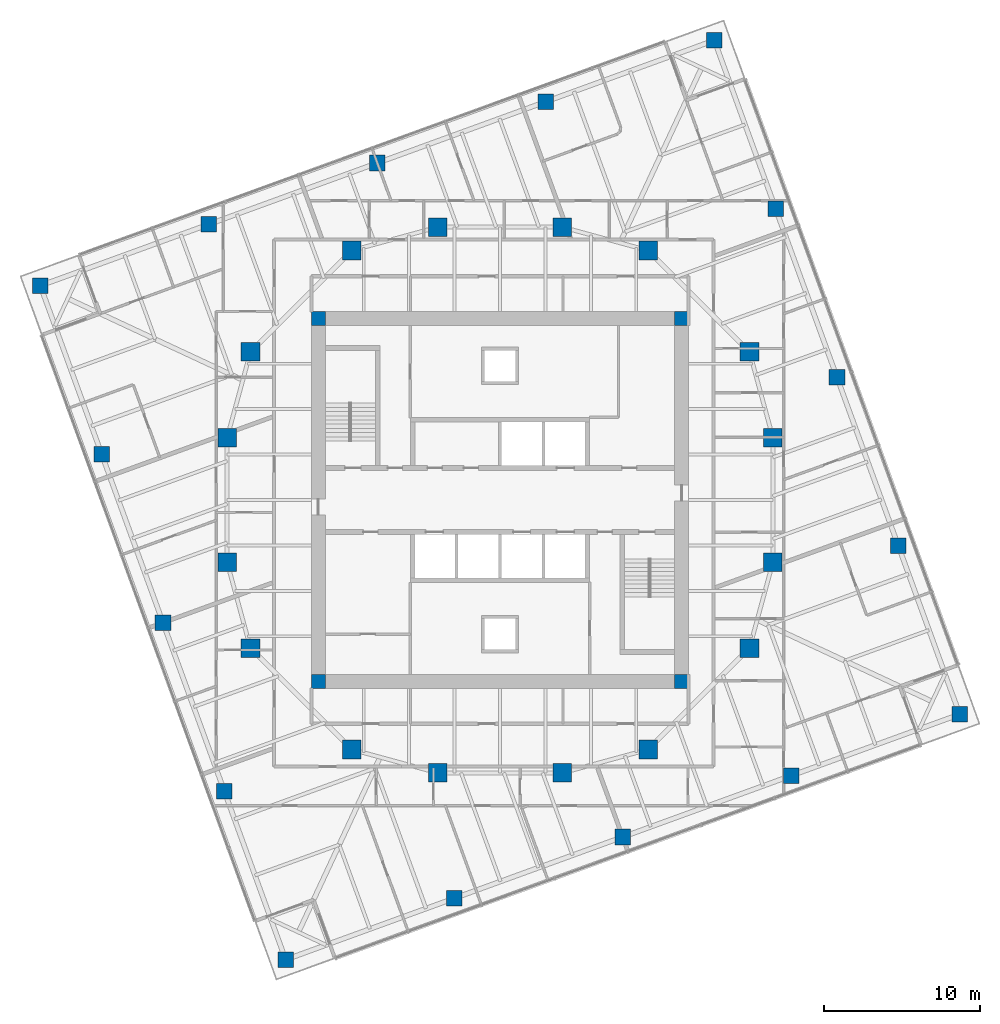
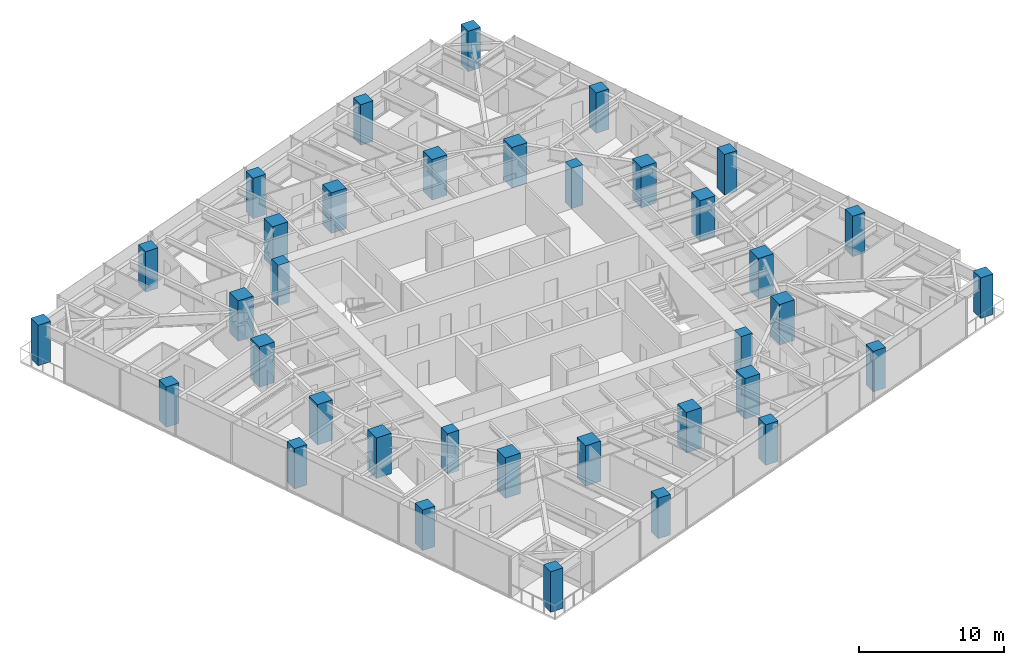
# One storey, part 1 of 13: 36 columns.
"""IFC4 building model written with IfcOpenShell, lengths in metres."""

from ifc_helpers import new_model, si_unit, direction, frame, origin, origin_2d, place, context, subcontext, project, spatial, rectangle, extrude, material, material_profile, profile_set, type_object, element, save


model = new_model("IFC4")

# Units and contexts
model_context = context("Model", 3, precision=1e-05, world=origin(), true_north=direction((0.0, 1.0)))
body_context = subcontext(model_context, "Body", "Model", "MODEL_VIEW")
ifc_project = project(units=[si_unit("LENGTHUNIT", "METRE"), si_unit("AREAUNIT", "SQUARE_METRE"), si_unit("VOLUMEUNIT", "CUBIC_METRE"), si_unit("PLANEANGLEUNIT", "RADIAN"), si_unit("MASSUNIT", "GRAM", prefix="KILO")], contexts=[model_context])

# Site, building, storey
site_placement = place(None, origin())
site = spatial("IfcSite", under=ifc_project, at=site_placement, CompositionType="ELEMENT")
building_placement = place(site_placement, origin())
building = spatial("IfcBuilding", under=site, at=building_placement, Name="Torsade Residences", CompositionType="ELEMENT")
storey_placement = place(building_placement, frame((0.0, 0.0, 164.199951171875)))
storey = spatial("IfcBuildingStorey", under=building, at=storey_placement, Name="L45", CompositionType="ELEMENT", Elevation=164.199951171875)

# Columns
ifc_material_1 = material(Name="Concrete 80 MPa", Category="concrete")
ifc_material_profile_1 = material_profile(ifc_material_1, rectangle(XDim=0.89990234375, YDim=0.89990234375, at=origin_2d()), Name="RC 900x900")
ifc_profile_set_1 = profile_set([ifc_material_profile_1], Name="Concrete 80 MPa")
column_type_1 = type_object("IfcColumnType", Name="CORE CORNER COLUMN RC 900x900", PredefinedType="COLUMN", material=ifc_profile_set_1)
for number, where, z_axis, x_axis, name in (
    (1, (28.35009765625, 18.35009765625, 0.0), (0.0, 0.0, 1.0), (1.0, 0.0, 0.0), "Core corner column CC1 L45"),
    (2, (51.64990234375, 18.35009765625, 0.0), (0.0, 0.0, 1.0), (1.0, 0.0, 0.0), "Core corner column CC2 L45"),
    (3, (51.64990234375, 41.64990234375, 0.0), (0.0, 0.0, 1.0), (1.0, 0.0, 0.0), "Core corner column CC3 L45"),
    (4, (28.35009765625, 41.64990234375, 0.0), (0.0, 0.0, 1.0), (1.0, 0.0, 0.0), "Core corner column CC4 L45"),
):
    element("IfcColumn", number, at=place(storey_placement, frame(where, z_axis=z_axis, x_axis=x_axis)), inside=storey, type_object=column_type_1, Name=name, PredefinedType="COLUMN", context=body_context, shape_type="SweptSolid", body=[
        extrude(rectangle(XDim=0.89990234375, YDim=0.89990234375, at=origin_2d()), origin(), (0.0, 0.0, 1.0), 3.400146484375),
    ])
ifc_material_2 = material(Name="Concrete 80 MPa", Category="concrete")
ifc_material_profile_2 = material_profile(ifc_material_2, rectangle(XDim=1.199951171875, YDim=1.199951171875, at=origin_2d()), Name="RC 1200x1200")
ifc_profile_set_2 = profile_set([ifc_material_profile_2], Name="Concrete 80 MPa")
column_type_2 = type_object("IfcColumnType", Name="INNER RING COLUMN RC 1200x1200", PredefinedType="COLUMN", material=ifc_profile_set_2)
for number, where, z_axis, x_axis, name in (
    (5, (57.5, 26.0, 0.0), (0.0, 0.0, 1.0), (1.0, 0.0, 0.0), "Inner ring column IR01 L45"),
    (6, (57.5, 34.0, 0.0), (0.0, 0.0, 1.0), (1.0, 0.0, 0.0), "Inner ring column IR02 L45"),
    (7, (56.0, 39.5, 0.0), (0.0, 0.0, 1.0), (1.0, 0.0, 0.0), "Inner ring column IR03 L45"),
    (8, (49.5, 46.0, 0.0), (0.0, 0.0, 1.0), (1.0, 0.0, 0.0), "Inner ring column IR04 L45"),
    (9, (44.0, 47.5, 0.0), (0.0, 0.0, 1.0), (1.0, 0.0, 0.0), "Inner ring column IR05 L45"),
    (10, (36.0, 47.5, 0.0), (0.0, 0.0, 1.0), (1.0, 0.0, 0.0), "Inner ring column IR06 L45"),
    (11, (30.5, 46.0, 0.0), (0.0, 0.0, 1.0), (1.0, 0.0, 0.0), "Inner ring column IR07 L45"),
    (12, (24.0, 39.5, 0.0), (0.0, 0.0, 1.0), (1.0, 0.0, 0.0), "Inner ring column IR08 L45"),
    (13, (22.5, 34.0, 0.0), (0.0, 0.0, 1.0), (1.0, 0.0, 0.0), "Inner ring column IR09 L45"),
    (14, (22.5, 26.0, 0.0), (0.0, 0.0, 1.0), (1.0, 0.0, 0.0), "Inner ring column IR10 L45"),
    (15, (24.0, 20.5, 0.0), (0.0, 0.0, 1.0), (1.0, 0.0, 0.0), "Inner ring column IR11 L45"),
    (16, (30.5, 14.0, 0.0), (0.0, 0.0, 1.0), (1.0, 0.0, 0.0), "Inner ring column IR12 L45"),
    (17, (36.0, 12.5, 0.0), (0.0, 0.0, 1.0), (1.0, 0.0, 0.0), "Inner ring column IR13 L45"),
    (18, (44.0, 12.5, 0.0), (0.0, 0.0, 1.0), (1.0, 0.0, 0.0), "Inner ring column IR14 L45"),
    (19, (49.5, 14.0, 0.0), (0.0, 0.0, 1.0), (1.0, 0.0, 0.0), "Inner ring column IR15 L45"),
    (20, (56.0, 20.5, 0.0), (0.0, 0.0, 1.0), (1.0, 0.0, 0.0), "Inner ring column IR16 L45"),
):
    element("IfcColumn", number, at=place(storey_placement, frame(where, z_axis=z_axis, x_axis=x_axis)), inside=storey, type_object=column_type_2, Name=name, PredefinedType="COLUMN", context=body_context, shape_type="SweptSolid", body=[
        extrude(rectangle(XDim=1.199951171875, YDim=1.199951171875, at=origin_2d()), origin(), (0.0, 0.0, 1.0), 3.400146484375),
    ])
ifc_material_3 = material(Name="Concrete 80 MPa", Category="concrete")
ifc_material_profile_3 = material_profile(ifc_material_3, rectangle(XDim=1.0, YDim=1.0, at=origin_2d()), Name="RC 1000x1000")
ifc_profile_set_3 = profile_set([ifc_material_profile_3], Name="Concrete 80 MPa")
column_type_3 = type_object("IfcColumnType", Name="TOWER COLUMN RC 1000x1000", PredefinedType="COLUMN", material=ifc_profile_set_3)
for number, where, z_axis, x_axis, name in (
    (21, (26.25341796875, 0.5205078125, 0.0), (0.0, 0.0, 1.0), (1.0, 0.0, 0.0), "Column TC5-01 L45"),
    (22, (37.06005859375, 4.453857421875, 0.0), (0.0, 0.0, 1.0), (1.0, 0.0, 0.0), "Column TC5-02 L45"),
    (23, (47.866455078125, 8.386962890625, 0.0), (0.0, 0.0, 1.0), (1.0, 0.0, 0.0), "Column TC5-03 L45"),
    (24, (58.6728515625, 12.3203125, 0.0), (0.0, 0.0, 1.0), (1.0, 0.0, 0.0), "Column TC5-04 L45"),
    (25, (69.4794921875, 16.25341796875, 0.0), (0.0, 0.0, 1.0), (1.0, 0.0, 0.0), "Column TC5-05 L45"),
    (26, (65.546142578125, 27.06005859375, 0.0), (0.0, 0.0, 1.0), (1.0, 0.0, 0.0), "Column TC5-06 L45"),
    (27, (61.613037109375, 37.866455078125, 0.0), (0.0, 0.0, 1.0), (1.0, 0.0, 0.0), "Column TC5-07 L45"),
    (28, (57.6796875, 48.6728515625, 0.0), (0.0, 0.0, 1.0), (1.0, 0.0, 0.0), "Column TC5-08 L45"),
    (29, (53.74658203125, 59.4794921875, 0.0), (0.0, 0.0, 1.0), (1.0, 0.0, 0.0), "Column TC5-09 L45"),
    (30, (42.93994140625, 55.546142578125, 0.0), (0.0, 0.0, 1.0), (1.0, 0.0, 0.0), "Column TC5-10 L45"),
    (31, (32.133544921875, 51.613037109375, 0.0), (0.0, 0.0, 1.0), (1.0, 0.0, 0.0), "Column TC5-11 L45"),
    (32, (21.3271484375, 47.6796875, 0.0), (0.0, 0.0, 1.0), (1.0, 0.0, 0.0), "Column TC5-12 L45"),
    (33, (10.5205078125, 43.74658203125, 0.0), (0.0, 0.0, 1.0), (1.0, 0.0, 0.0), "Column TC5-13 L45"),
    (34, (14.453857421875, 32.93994140625, 0.0), (0.0, 0.0, 1.0), (1.0, 0.0, 0.0), "Column TC5-14 L45"),
    (35, (18.386962890625, 22.133544921875, 0.0), (0.0, 0.0, 1.0), (1.0, 0.0, 0.0), "Column TC5-15 L45"),
    (36, (22.3203125, 11.3271484375, 0.0), (0.0, 0.0, 1.0), (1.0, 0.0, 0.0), "Column TC5-16 L45"),
):
    element("IfcColumn", number, at=place(storey_placement, frame(where, z_axis=z_axis, x_axis=x_axis)), inside=storey, type_object=column_type_3, Name=name, PredefinedType="COLUMN", context=body_context, shape_type="SweptSolid", body=[
        extrude(rectangle(XDim=1.0, YDim=1.0, at=origin_2d()), origin(), (0.0, 0.0, 1.0), 3.400146484375),
    ])

save(model, "model.ifc")
